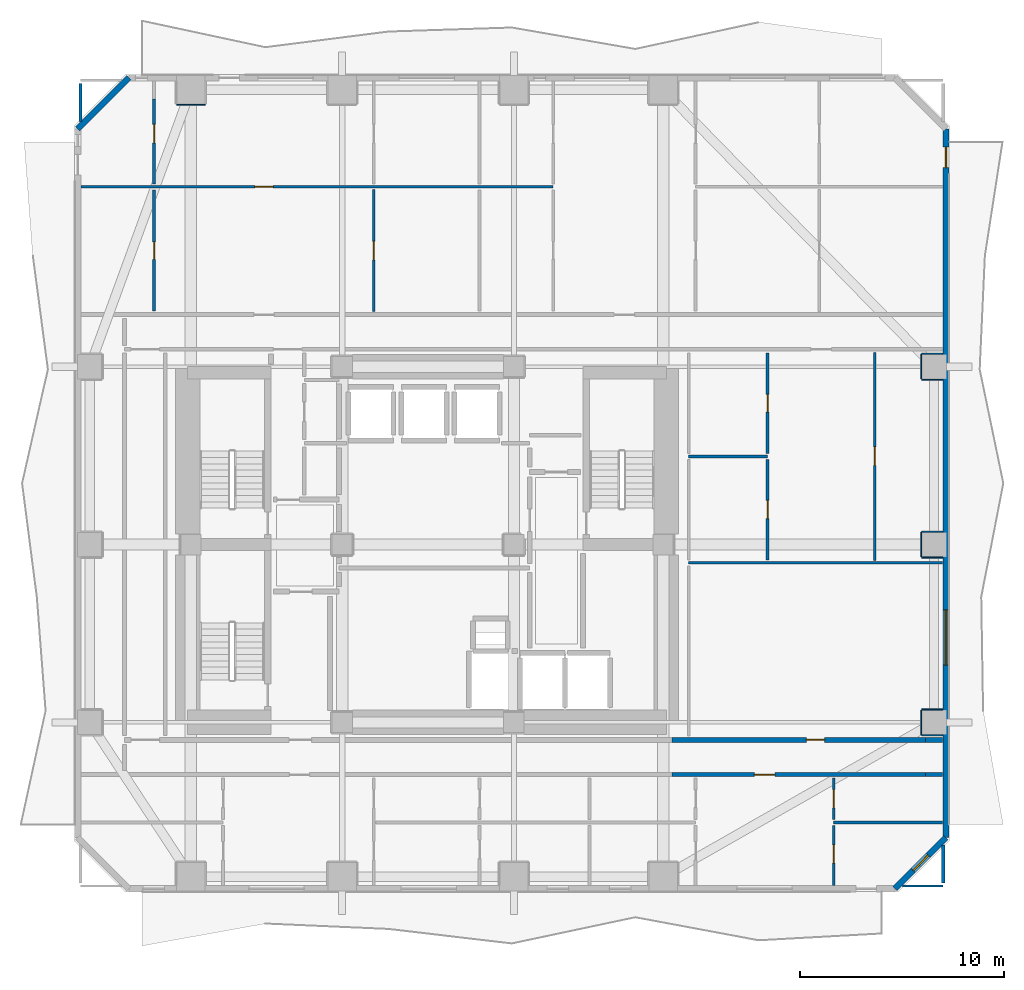
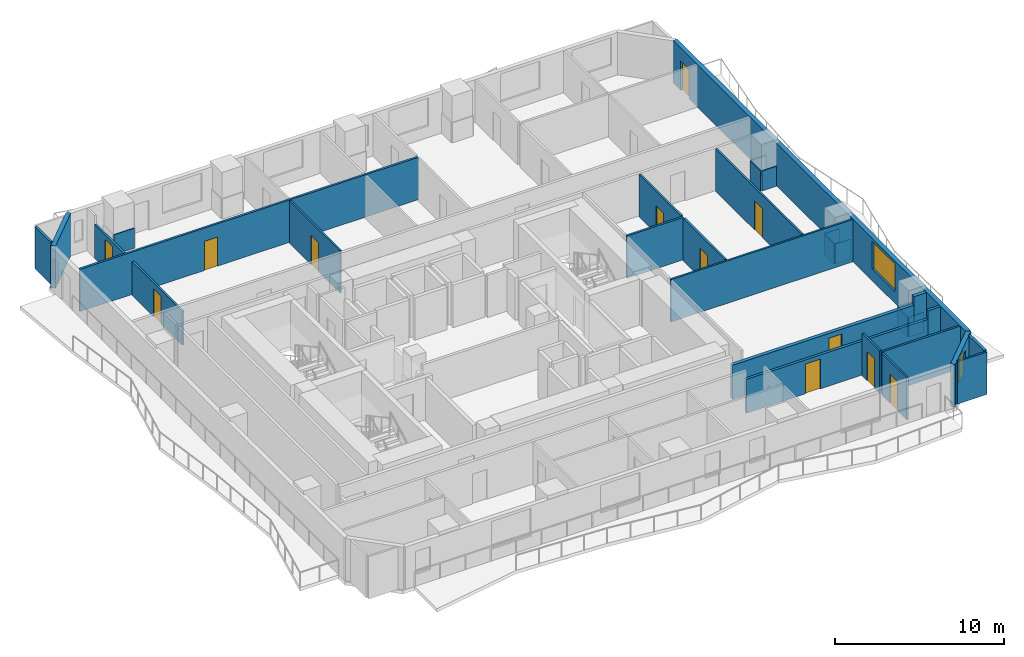
# One storey, part 5 of 11: 32 walls, 12 doors, 2 windows, 14 openings.
"""IFC4 building model written with IfcOpenShell, lengths in metres."""

import ifcopenshell
import ifcopenshell.guid

model = None  # the IFC model being written
_history = None  # IfcOwnerHistory: only IFC2X3 demands one
_inside = {}  # id of a spatial element -> (the spatial element, [elements in it])
_under = {}  # id of a project, library or spatial element -> (it, [spatial elements below it])
_declared = {}  # id of a project -> (the project, [libraries it declares])
_typed = {}  # id of a type object -> (the type object, [elements of that type])
_made_of = {}  # id of a material, layer set ... -> (it, [elements and type objects made of it])


def new_model(schema):
    """Start an empty IFC model of exactly this schema.

    Asked for "IFC4X3", IfcOpenShell would pick the latest addendum, in which some entities
    have other attributes; the version numbers below select the first issue.
    IFC2X3 requires an IfcOwnerHistory on every rooted entity: one is made here for all.
    """
    global model, _history
    if schema == "IFC4X3":
        model = ifcopenshell.file(schema_version=(4, 3, 0, 0))
    else:
        model = ifcopenshell.file(schema=schema)
    _inside.clear()
    _under.clear()
    _declared.clear()
    _typed.clear()
    _made_of.clear()
    _history = None
    if model.schema == "IFC2X3":
        org = make("IfcOrganization", Name="unknown")
        user = make(
            "IfcPersonAndOrganization",
            ThePerson=make("IfcPerson", FamilyName="unknown"),
            TheOrganization=org,
        )
        app = make(
            "IfcApplication",
            ApplicationDeveloper=org,
            Version="unknown",
            ApplicationFullName="unknown",
            ApplicationIdentifier="unknown",
        )
        _history = make(
            "IfcOwnerHistory",
            OwningUser=user,
            OwningApplication=app,
            ChangeAction="ADDED",
            CreationDate=0,
        )
    return model


def make(cls, **values):
    """One entity of the class cls with the attributes given. An attribute that is None is left unset."""
    return model.create_entity(
        cls, **{name: value for name, value in values.items() if value is not None}
    )


def rooted(cls, **values):
    """An entity with a GlobalId (a new one), such as an element, a storey or a relation."""
    return make(cls, GlobalId=ifcopenshell.guid.new(), OwnerHistory=_history, **values)


def si_unit(unit_type, name, prefix=None):
    """IfcSIUnit, for example si_unit("LENGTHUNIT", "METRE", prefix="MILLI")."""
    return make("IfcSIUnit", UnitType=unit_type, Prefix=prefix, Name=name)


def assignment(units):
    """IfcUnitAssignment: the units of a project."""
    return None if units is None else make("IfcUnitAssignment", Units=units)


def point(xyz):
    """IfcCartesianPoint."""
    return None if xyz is None else make("IfcCartesianPoint", Coordinates=xyz)


def direction(xyz):
    """IfcDirection."""
    return None if xyz is None else make("IfcDirection", DirectionRatios=xyz)


def frame(location, z_axis=None, x_axis=None):
    """IfcAxis2Placement3D, a coordinate frame: its origin and axes. An axis left out is left unset."""
    return make(
        "IfcAxis2Placement3D",
        Location=point(location),
        Axis=direction(z_axis),
        RefDirection=direction(x_axis),
    )


def frame_2d(location, x_axis=None):
    """IfcAxis2Placement2D, a coordinate frame in the plane: its origin and x axis."""
    return make(
        "IfcAxis2Placement2D", Location=point(location), RefDirection=direction(x_axis)
    )


def origin():
    """The frame at (0, 0, 0) with its axes left unset."""
    return frame((0.0, 0.0, 0.0))


def place(relative_to, where):
    """IfcLocalPlacement: puts the frame where relative to a parent placement (None: the world)."""
    return make(
        "IfcLocalPlacement", PlacementRelTo=relative_to, RelativePlacement=where
    )


def context(
    kind, dimensions, precision=None, world=None, true_north=None, identifier=None
):
    """IfcGeometricRepresentationContext, for example the 3D "Model" context."""
    return make(
        "IfcGeometricRepresentationContext",
        ContextIdentifier=identifier,
        ContextType=kind,
        CoordinateSpaceDimension=dimensions,
        Precision=precision,
        WorldCoordinateSystem=world,
        TrueNorth=true_north,
    )


def subcontext(parent, identifier, kind, view, scale=None):
    """IfcGeometricRepresentationSubContext, for example "Body" below "Model"."""
    return make(
        "IfcGeometricRepresentationSubContext",
        ContextIdentifier=identifier,
        ContextType=kind,
        ParentContext=parent,
        TargetScale=scale,
        TargetView=view,
    )


def project(units=None, contexts=None):
    """IfcProject with its units and contexts."""
    return rooted(
        "IfcProject",
        Name="project",
        RepresentationContexts=contexts,
        UnitsInContext=assignment(units),
    )


def spatial(cls, under=None, at=None, **own):
    """A site, building, storey or space (cls), placed at a placement, below another one or the project."""
    s = rooted(cls, ObjectPlacement=at, **own)
    if under is not None:
        _under.setdefault(under.id(), (under, []))[1].append(s)
    return s


def profile(cls, at=None, kind="AREA", **sizes):
    """A parametric profile (cls). Its sizes go by their IFC names, for example OverallWidth=200.0."""
    return make(cls, ProfileType=kind, Position=at, **sizes)


def rectangle(**sizes):
    """IfcRectangleProfileDef."""
    return profile("IfcRectangleProfileDef", **sizes)


def extrude(swept, where, along, depth):
    """IfcExtrudedAreaSolid: the profile swept, set in the frame where, extruded along a direction by depth."""
    return make(
        "IfcExtrudedAreaSolid",
        SweptArea=swept,
        Position=where,
        ExtrudedDirection=direction(along),
        Depth=depth,
    )


def shape(context_of_items, identifier, shape_type, items):
    """IfcShapeRepresentation: the items that make up one representation, for example the "Body"."""
    return make(
        "IfcShapeRepresentation",
        ContextOfItems=context_of_items,
        RepresentationIdentifier=identifier,
        RepresentationType=shape_type,
        Items=items,
    )


def material(Name=None, Category=None):
    """IfcMaterial."""
    return make("IfcMaterial", Name=Name, Category=Category)


def layer(
    of_material, thickness, ventilated=None, Name=None, Category=None, Priority=None
):
    """IfcMaterialLayer: one layer of a wall or slab, of a material (None: an air gap)."""
    return make(
        "IfcMaterialLayer",
        Material=of_material,
        LayerThickness=thickness,
        IsVentilated=ventilated,
        Name=Name,
        Category=Category,
        Priority=Priority,
    )


def layer_set(layers, Name=None):
    """IfcMaterialLayerSet."""
    return make("IfcMaterialLayerSet", MaterialLayers=layers, LayerSetName=Name)


def made_of(thing, what):
    """Note that an element or type object is made of a material, layer set ...; save() writes the relation."""
    if what is not None:
        _made_of.setdefault(what.id(), (what, []))[1].append(thing)
    return thing


def type_object(cls, material=None, **own):
    """A type object (cls), such as IfcWallType, which elements share."""
    return made_of(rooted(cls, **own), material)


def element(
    cls,
    number,
    at=None,
    inside=None,
    cuts=None,
    type_object=None,
    material=None,
    context=None,
    identifier="Body",
    shape_type=None,
    held_by="IfcProductDefinitionShape",
    body=None,
    shapes=None,
    **own,
):
    """One element of the class cls, such as IfcWall. Its Tag is "e" and its number.

    at: its placement. inside: the storey or other place that contains it. cuts: it is an
    opening in that element (IfcRelVoidsElement). A single representation is given by context,
    identifier, shape_type and body (its items); several are given by shapes. held_by: the class
    of the entity that holds the representations. save() writes the other relations.
    """
    e = rooted(cls, Tag="e%d" % number, ObjectPlacement=at, **own)
    if body is not None:
        shapes = [shape(context, identifier, shape_type, body)]
    if shapes is not None:
        e.Representation = make(held_by, Representations=shapes)
    if inside is not None:
        _inside.setdefault(inside.id(), (inside, []))[1].append(e)
    if cuts is not None:
        rooted(
            "IfcRelVoidsElement", RelatingBuildingElement=cuts, RelatedOpeningElement=e
        )
    if type_object is not None:
        _typed.setdefault(type_object.id(), (type_object, []))[1].append(e)
    return made_of(e, material)


def fill(opening, filler):
    """IfcRelFillsElement: the door or window that sits in an opening."""
    return rooted(
        "IfcRelFillsElement",
        RelatingOpeningElement=opening,
        RelatedBuildingElement=filler,
    )


def aggregate(whole, parts):
    """IfcRelAggregates: a whole, such as a stair, and the parts it consists of."""
    return rooted("IfcRelAggregates", RelatingObject=whole, RelatedObjects=parts)


def save(model, path):
    """Write the relations noted so far, then the file.

    IfcRelAggregates (storeys below a building ...), IfcRelContainedInSpatialStructure (elements
    in a storey), IfcRelDefinesByType, IfcRelAssociatesMaterial and IfcRelDeclares: one each for
    every whole, place, type object, material and project.
    """
    for whole, parts in _under.values():
        aggregate(whole, parts)
    for where, things in _inside.values():
        rooted(
            "IfcRelContainedInSpatialStructure",
            RelatedElements=things,
            RelatingStructure=where,
        )
    for kind, things in _typed.values():
        rooted("IfcRelDefinesByType", RelatedObjects=things, RelatingType=kind)
    for what, things in _made_of.values():
        rooted("IfcRelAssociatesMaterial", RelatedObjects=things, RelatingMaterial=what)
    for by, libraries in _declared.values():
        rooted("IfcRelDeclares", RelatingContext=by, RelatedDefinitions=libraries)
    model.write(path)


model = new_model("IFC4")

# Units and contexts
model_context = context("Model", 3, precision=1e-05, world=origin(), true_north=direction((0.0, 1.0)))
body_context = subcontext(model_context, "Body", "Model", "MODEL_VIEW")
ifc_project = project(units=[si_unit("LENGTHUNIT", "METRE"), si_unit("AREAUNIT", "SQUARE_METRE"), si_unit("VOLUMEUNIT", "CUBIC_METRE"), si_unit("PLANEANGLEUNIT", "RADIAN"), si_unit("MASSUNIT", "GRAM", prefix="KILO")], contexts=[model_context])

# Site, building, storey
site_placement = place(None, origin())
site = spatial("IfcSite", under=ifc_project, at=site_placement, CompositionType="ELEMENT")
building_placement = place(site_placement, origin())
building = spatial("IfcBuilding", under=site, at=building_placement, Name="Solanera Arch Residences", CompositionType="ELEMENT")
storey_placement = place(building_placement, frame((0.0, 0.0, 68.47998046875)))
storey = spatial("IfcBuildingStorey", under=building, at=storey_placement, Name="L19", CompositionType="ELEMENT", Elevation=68.47998046875)

# Walls
ifc_material_1 = material(Name="Fire-Rated Gypsum Stud Partition", Category="gypsum")
ifc_layer_1 = layer(ifc_material_1, 0.06005859375)
ifc_layer_set_1 = layer_set([ifc_layer_1], Name="Fire-Rated Gypsum Stud Partition")
wall_type_1 = type_object("IfcWallType", Name="Column Acoustic Furring Wall 60", PredefinedType="PARTITIONING", material=ifc_layer_set_1)
wall_1_placement = place(storey_placement, frame((12.699951171875, 52.218017578125, 0.0), z_axis=(0.0, 0.0, 1.0), x_axis=(1.0, 0.0, 0.0)))
element("IfcWall", 1, at=wall_1_placement, inside=storey, type_object=wall_type_1, Name="L19 Column Furring 10S", PredefinedType="PARTITIONING", context=body_context, shape_type="SweptSolid", body=[
    extrude(rectangle(XDim=1.400146484375, YDim=0.06005859375, at=frame_2d((0.7001953125, 0.0))), origin(), (0.0, 0.0, 1.0), 1.449951171875),
])
for number, where, z_axis, x_axis, name in (
    (2, (49.14990234375, 21.367919921875, 0.0), (0.0, 0.0, 1.0), (1.0, 0.0, 0.0), "L19 Column Furring 18S"),
    (3, (49.14990234375, 22.632080078125, 0.0), (0.0, 0.0, 1.0), (1.0, 0.0, 0.0), "L19 Column Furring 18N"),
):
    element("IfcWall", number, at=place(storey_placement, frame(where, z_axis=z_axis, x_axis=x_axis)), inside=storey, type_object=wall_type_1, Name=name, PredefinedType="PARTITIONING", context=body_context, shape_type="SweptSolid", body=[
        extrude(rectangle(XDim=1.02001953125, YDim=0.06005859375, at=frame_2d((0.510009765625, 0.0))), origin(), (0.0, 0.0, 1.0), 1.449951171875),
    ])
wall_2_placement = place(storey_placement, frame((49.117919921875, 21.39990234375, 0.0), z_axis=(0.0, 0.0, 1.0), x_axis=(0.0, 1.0, 0.0)))
element("IfcWall", 4, at=wall_2_placement, inside=storey, type_object=wall_type_1, Name="L19 Column Furring 18W", PredefinedType="PARTITIONING", context=body_context, shape_type="SweptSolid", body=[
    extrude(rectangle(XDim=1.2001953125, YDim=0.06005859375, at=frame_2d((0.60009765625, 0.0))), origin(), (0.0, 0.0, 1.0), 1.449951171875),
])
for number, where, z_axis, x_axis, name in (
    (5, (49.14990234375, 30.068115234375, 0.0), (0.0, 0.0, 1.0), (1.0, 0.0, 0.0), "L19 Column Furring 20S"),
    (6, (49.14990234375, 31.33203125, 0.0), (0.0, 0.0, 1.0), (1.0, 0.0, 0.0), "L19 Column Furring 20N"),
):
    element("IfcWall", number, at=place(storey_placement, frame(where, z_axis=z_axis, x_axis=x_axis)), inside=storey, type_object=wall_type_1, Name=name, PredefinedType="PARTITIONING", context=body_context, shape_type="SweptSolid", body=[
        extrude(rectangle(XDim=1.02001953125, YDim=0.06005859375, at=frame_2d((0.510009765625, 0.0))), origin(), (0.0, 0.0, 1.0), 1.449951171875),
    ])
wall_3_placement = place(storey_placement, frame((49.117919921875, 30.10009765625, 0.0), z_axis=(0.0, 0.0, 1.0), x_axis=(0.0, 1.0, 0.0)))
element("IfcWall", 7, at=wall_3_placement, inside=storey, type_object=wall_type_1, Name="L19 Column Furring 20W", PredefinedType="PARTITIONING", context=body_context, shape_type="SweptSolid", body=[
    extrude(rectangle(XDim=1.199951171875, YDim=0.06005859375, at=frame_2d((0.60009765625, 0.0))), origin(), (0.0, 0.0, 1.0), 1.449951171875),
])
for number, where, z_axis, x_axis, name in (
    (8, (49.14990234375, 38.76806640625, 0.0), (0.0, 0.0, 1.0), (1.0, 0.0, 0.0), "L19 Column Furring 22S"),
    (9, (49.14990234375, 40.031982421875, 0.0), (0.0, 0.0, 1.0), (1.0, 0.0, 0.0), "L19 Column Furring 22N"),
):
    element("IfcWall", number, at=place(storey_placement, frame(where, z_axis=z_axis, x_axis=x_axis)), inside=storey, type_object=wall_type_1, Name=name, PredefinedType="PARTITIONING", context=body_context, shape_type="SweptSolid", body=[
        extrude(rectangle(XDim=1.02001953125, YDim=0.06005859375, at=frame_2d((0.510009765625, 0.0))), origin(), (0.0, 0.0, 1.0), 1.449951171875),
    ])
wall_4_placement = place(storey_placement, frame((49.117919921875, 38.800048828125, 0.0), z_axis=(0.0, 0.0, 1.0), x_axis=(0.0, 1.0, 0.0)))
element("IfcWall", 10, at=wall_4_placement, inside=storey, type_object=wall_type_1, Name="L19 Column Furring 22W", PredefinedType="PARTITIONING", context=body_context, shape_type="SweptSolid", body=[
    extrude(rectangle(XDim=1.199951171875, YDim=0.06005859375, at=frame_2d((0.60009765625, 0.0))), origin(), (0.0, 0.0, 1.0), 1.449951171875),
])

# Wall, opening, door
ifc_material_2 = material(Name="Autoclaved Aerated Concrete Blockwork", Category="masonry")
ifc_layer_2 = layer(ifc_material_2, 0.179931640625)
ifc_layer_set_2 = layer_set([ifc_layer_2], Name="Autoclaved Aerated Concrete Blockwork")
wall_type_2 = type_object("IfcWallType", Name="Corridor Fire Partition 180", PredefinedType="PARTITIONING", material=ifc_layer_set_2)
wall_5_placement = place(storey_placement, frame((36.928955078125, 19.449951171875, 0.0), z_axis=(0.0, 0.0, 1.0), x_axis=(1.0, 0.0, 0.0)))
wall_5 = element("IfcWall", 11, at=wall_5_placement, inside=storey, type_object=wall_type_2, Name="L19 Interior Partition H6 2", PredefinedType="PARTITIONING", context=body_context, shape_type="SweptSolid", body=[
    extrude(rectangle(XDim=12.39208984375, YDim=0.179931640625, at=frame_2d((6.196044921875, 0.0))), origin(), (0.0, 0.0, 1.0), 2.445068359375),
])
opening_1_placement = place(wall_5_placement, frame((4.031005859375, 0.0, 0.0)))
opening_1 = element("IfcOpeningElement", 12, at=opening_1_placement, cuts=wall_5, Name="Opening DI-01", PredefinedType="OPENING", context=body_context, shape_type="SweptSolid", body=[
    extrude(rectangle(XDim=1.0, YDim=2.14990234375, at=frame_2d((0.5, 1.074951171875))), frame((0.0, 0.10009765625, 0.0), z_axis=(0.0, -1.0, 0.0), x_axis=(1.0, 0.0, 0.0)), (0.0, 0.0, 1.0), 0.1999),
])
ifc_material_3 = material(Name="Fire-Rated Architectural Hardwood", Category="wood")
door_type_1 = type_object("IfcDoorType", Name="Unit Entrance Fire Door DI-01", OperationType="NOTDEFINED", PredefinedType="DOOR", material=ifc_material_3)
door_1_placement = place(opening_1_placement, origin())
door_1 = element("IfcDoor", 13, at=door_1_placement, inside=storey, type_object=door_type_1, Name="DR-L19-IN-020", OperationType="SINGLE_SWING_RIGHT", OverallHeight=2.14990234375, OverallWidth=1.0, PredefinedType="DOOR", context=body_context, shape_type="SweptSolid", body=[
    extrude(rectangle(XDim=1.0, YDim=2.14990234375, at=frame_2d((0.5, 1.074951171875))), frame((0.0, 0.02490234375, 0.0), z_axis=(0.0, -1.0, 0.0), x_axis=(1.0, 0.0, 0.0)), (0.0, 0.0, 1.0), 0.050048828125),
])
fill(opening_1, door_1)

# Walls
wall_6_placement = place(storey_placement, frame((49.321044921875, 19.449951171875, 0.0), z_axis=(0.0, 0.0, 1.0), x_axis=(1.0, 0.0, 0.0)))
element("IfcWall", 14, at=wall_6_placement, inside=storey, type_object=wall_type_2, Name="L19 Interior Partition H6 3", PredefinedType="PARTITIONING", context=body_context, shape_type="SweptSolid", body=[
    extrude(rectangle(XDim=0.85205078125, YDim=0.179931640625, at=frame_2d((0.426025390625, 0.0))), origin(), (0.0, 0.0, 1.0), 3.06005859375),
])
wall_7_placement = place(storey_placement, frame((50.199951171875, 14.157958984375, 0.0), z_axis=(0.0, 0.0, 1.0), x_axis=(0.0, 1.0, 0.0)))
element("IfcWall", 15, at=wall_7_placement, inside=storey, type_object=wall_type_2, Name="L19 Interior Partition V9 1", PredefinedType="PARTITIONING", context=body_context, shape_type="SweptSolid", body=[
    extrude(rectangle(XDim=1.843017578125, YDim=0.179931640625, at=frame_2d((0.92138671875, 0.0))), origin(), (0.0, 0.0, 1.0), 3.06005859375),
])
ifc_material_4 = material(Name="Precast Concrete C35/45", Category="concrete")
ifc_layer_3 = layer(ifc_material_4, 0.300048828125)
ifc_layer_set_3 = layer_set([ifc_layer_3], Name="Precast Concrete C35/45")
wall_type_3 = type_object("IfcWallType", Name="Exterior Wall Precast Masonry-Frame 300", PredefinedType="STANDARD", material=ifc_layer_set_3)
wall_8_placement = place(storey_placement, frame((7.864990234375, 51.034912109375, 0.0), z_axis=(0.0, 0.0, 1.0), x_axis=(0.707106781187, 0.707106781187, 0.0)))
element("IfcWall", 16, at=wall_8_placement, inside=storey, type_object=wall_type_3, Name="L19 Tower Exterior Precast Masonry-Frame Wall CH1", PredefinedType="STANDARD", context=body_context, shape_type="SweptSolid", body=[
    extrude(rectangle(XDim=3.53564453125, YDim=0.300048828125, at=frame_2d((1.767822265625, 0.0))), origin(), (0.0, 0.0, 1.0), 3.06005859375),
])

# Wall, openings, door, window
wall_9_placement = place(storey_placement, frame((50.3349609375, 51.034912109375, 0.0), z_axis=(0.0, 0.0, 1.0), x_axis=(0.0, -1.0, 0.0)))
wall_9 = element("IfcWall", 17, at=wall_9_placement, inside=storey, type_object=wall_type_3, Name="L19 Tower Exterior Precast Masonry-Frame Wall E", PredefinedType="STANDARD", context=body_context, shape_type="SweptSolid", body=[
    extrude(rectangle(XDim=34.669921875, YDim=0.300048828125, at=frame_2d((17.3349609375, 0.0))), origin(), (0.0, 0.0, 1.0), 3.06005859375),
])
opening_2_placement = place(wall_9_placement, frame((0.90087890625, 0.0, 0.0)))
opening_2 = element("IfcOpeningElement", 18, at=opening_2_placement, cuts=wall_9, Name="Opening DB-01", PredefinedType="OPENING", context=body_context, shape_type="SweptSolid", body=[
    extrude(rectangle(XDim=1.0, YDim=2.14990234375, at=frame_2d((0.5, 1.074951171875))), frame((0.0, 0.159912109375, 0.0), z_axis=(0.0, -1.0, 0.0), x_axis=(1.0, 0.0, 0.0)), (0.0, 0.0, 1.0), 0.32),
])
opening_3_placement = place(wall_9_placement, frame((23.534912109375, 0.0, 0.85009765625)))
opening_3 = element("IfcOpeningElement", 19, at=opening_3_placement, cuts=wall_9, Name="Opening W-09", PredefinedType="OPENING", context=body_context, shape_type="SweptSolid", body=[
    extrude(rectangle(XDim=2.699951171875, YDim=2.0, at=frame_2d((1.35009765625, 1.0))), frame((0.0, 0.159912109375, 0.0), z_axis=(0.0, -1.0, 0.0), x_axis=(1.0, 0.0, 0.0)), (0.0, 0.0, 1.0), 0.32),
])
ifc_material_5 = material(Name="Anodised Aluminium Alloy 6063-T6", Category="aluminium")
door_type_2 = type_object("IfcDoorType", Name="Glazed Balcony Swing Door DB-01", OperationType="NOTDEFINED", PredefinedType="DOOR", material=ifc_material_5)
door_2_placement = place(opening_2_placement, origin())
door_2 = element("IfcDoor", 20, at=door_2_placement, inside=storey, type_object=door_type_2, Name="DR-L19-OUT-03", OperationType="SINGLE_SWING_LEFT", OverallHeight=2.14990234375, OverallWidth=1.0, PredefinedType="DOOR", context=body_context, shape_type="SweptSolid", body=[
    extrude(rectangle(XDim=1.0, YDim=2.14990234375, at=frame_2d((0.5, 1.074951171875))), frame((0.0, 0.02490234375, 0.0), z_axis=(0.0, -1.0, 0.0), x_axis=(1.0, 0.0, 0.0)), (0.0, 0.0, 1.0), 0.050048828125),
])
fill(opening_2, door_2)
ifc_material_6 = material(Name="Double Glazed Low-E Laminated Glass", Category="glass")
window_type_1 = type_object("IfcWindowType", Name="Punched Window W-09", PartitioningType="TRIPLE_PANEL_VERTICAL", PredefinedType="WINDOW", material=ifc_material_6)
window_1_placement = place(opening_3_placement, origin())
window_1 = element("IfcWindow", 21, at=window_1_placement, inside=storey, type_object=window_type_1, Name="L19 AMN-STDE Punched Window", OverallHeight=2.0, OverallWidth=2.699951171875, PartitioningType="SINGLE_PANEL", PredefinedType="WINDOW", context=body_context, shape_type="SweptSolid", body=[
    extrude(rectangle(XDim=2.699951171875, YDim=2.0, at=frame_2d((1.35009765625, 1.0))), frame((0.0, 0.030029296875, 0.0), z_axis=(0.0, -1.0, 0.0), x_axis=(1.0, 0.0, 0.0)), (0.0, 0.0, 1.0), 0.06005859375),
])
fill(opening_3, window_1)

# Wall, opening, window
wall_10_placement = place(storey_placement, frame((50.3349609375, 16.364990234375, 0.0), z_axis=(0.0, 0.0, 1.0), x_axis=(-0.707106781187, -0.707106781187, 0.0)))
wall_10 = element("IfcWall", 22, at=wall_10_placement, inside=storey, type_object=wall_type_3, Name="L19 Tower Exterior Precast Masonry-Frame Wall CH5", PredefinedType="STANDARD", context=body_context, shape_type="SweptSolid", body=[
    extrude(rectangle(XDim=3.53564453125, YDim=0.300048828125, at=frame_2d((1.767822265625, 0.0))), origin(), (0.0, 0.0, 1.0), 3.06005859375),
])
opening_4_placement = place(wall_10_placement, frame((1.219970703125, 0.0, 0.85009765625)))
opening_4 = element("IfcOpeningElement", 23, at=opening_4_placement, cuts=wall_10, Name="Opening W-07", PredefinedType="OPENING", context=body_context, shape_type="SweptSolid", body=[
    extrude(rectangle(XDim=1.050048828125, YDim=1.64990234375, at=frame_2d((0.52490234375, 0.824951171875))), frame((0.0, 0.159912109375, 0.0), z_axis=(0.0, -1.0, 0.0), x_axis=(1.0, 0.0, 0.0)), (0.0, 0.0, 1.0), 0.32),
])
ifc_material_7 = material(Name="Double Glazed Low-E Laminated Glass", Category="glass")
window_type_2 = type_object("IfcWindowType", Name="Punched Window W-07", PartitioningType="SINGLE_PANEL", PredefinedType="WINDOW", material=ifc_material_7)
window_2_placement = place(opening_4_placement, origin())
window_2 = element("IfcWindow", 24, at=window_2_placement, inside=storey, type_object=window_type_2, Name="L19 1902-BR2 Corner Punched Window", OverallHeight=1.64990234375, OverallWidth=1.050048828125, PartitioningType="SINGLE_PANEL", PredefinedType="WINDOW", context=body_context, shape_type="SweptSolid", body=[
    extrude(rectangle(XDim=1.050048828125, YDim=1.64990234375, at=frame_2d((0.52490234375, 0.824951171875))), frame((0.0, 0.030029296875, 0.0), z_axis=(0.0, -1.0, 0.0), x_axis=(1.0, 0.0, 0.0)), (0.0, 0.0, 1.0), 0.06005859375),
])
fill(opening_4, window_2)

# Wall, opening, door
ifc_material_8 = material(Name="Autoclaved Aerated Concrete Blockwork", Category="masonry")
ifc_layer_4 = layer(ifc_material_8, 0.239990234375)
ifc_layer_set_4 = layer_set([ifc_layer_4], Name="Autoclaved Aerated Concrete Blockwork")
wall_type_4 = type_object("IfcWallType", Name="Shaft Wall Fire-Rated 240", PredefinedType="PARTITIONING", material=ifc_layer_set_4)
wall_11_placement = place(storey_placement, frame((36.928955078125, 21.14990234375, 0.0), z_axis=(0.0, 0.0, 1.0), x_axis=(1.0, 0.0, 0.0)))
wall_11 = element("IfcWall", 25, at=wall_11_placement, inside=storey, type_object=wall_type_4, Name="L19 Interior Partition H1 2", PredefinedType="PARTITIONING", context=body_context, shape_type="SweptSolid", body=[
    extrude(rectangle(XDim=12.39208984375, YDim=0.239990234375, at=frame_2d((6.196044921875, 0.0))), origin(), (0.0, 0.0, 1.0), 2.445068359375),
])
opening_5_placement = place(wall_11_placement, frame((6.572021484375, 0.0, 0.0)))
opening_5 = element("IfcOpeningElement", 26, at=opening_5_placement, cuts=wall_11, Name="Opening DI-02", PredefinedType="OPENING", context=body_context, shape_type="SweptSolid", body=[
    extrude(rectangle(XDim=0.89990234375, YDim=2.10009765625, at=frame_2d((0.449951171875, 1.050048828125))), frame((0.0, 0.1298828125, 0.0), z_axis=(0.0, -1.0, 0.0), x_axis=(1.0, 0.0, 0.0)), (0.0, 0.0, 1.0), 0.26),
])
ifc_material_9 = material(Name="Fire-Rated Architectural Hardwood", Category="wood")
door_type_3 = type_object("IfcDoorType", Name="Suite Room Swing Door DI-02", OperationType="NOTDEFINED", PredefinedType="DOOR", material=ifc_material_9)
door_3_placement = place(opening_5_placement, origin())
door_3 = element("IfcDoor", 27, at=door_3_placement, inside=storey, type_object=door_type_3, Name="DR-L19-IN-038", OperationType="SINGLE_SWING_RIGHT", OverallHeight=2.10009765625, OverallWidth=0.89990234375, PredefinedType="DOOR", context=body_context, shape_type="SweptSolid", body=[
    extrude(rectangle(XDim=0.89990234375, YDim=2.10009765625, at=frame_2d((0.449951171875, 1.050048828125))), frame((0.0, 0.02490234375, 0.0), z_axis=(0.0, -1.0, 0.0), x_axis=(1.0, 0.0, 0.0)), (0.0, 0.0, 1.0), 0.050048828125),
])
fill(opening_5, door_3)

# Walls
wall_12_placement = place(storey_placement, frame((49.321044921875, 21.14990234375, 0.0), z_axis=(0.0, 0.0, 1.0), x_axis=(1.0, 0.0, 0.0)))
element("IfcWall", 28, at=wall_12_placement, inside=storey, type_object=wall_type_4, Name="L19 Interior Partition H1 3", PredefinedType="PARTITIONING", context=body_context, shape_type="SweptSolid", body=[
    extrude(rectangle(XDim=0.85205078125, YDim=0.239990234375, at=frame_2d((0.426025390625, 0.0))), origin(), (0.0, 0.0, 1.0), 3.06005859375),
])
ifc_material_10 = material(Name="Fire-Rated Gypsum Stud Partition", Category="gypsum")
ifc_layer_5 = layer(ifc_material_10, 0.1201171875)
ifc_layer_set_5 = layer_set([ifc_layer_5], Name="Fire-Rated Gypsum Stud Partition")
wall_type_5 = type_object("IfcWallType", Name="Unit Drywall Partition 120", PredefinedType="PARTITIONING", material=ifc_layer_set_5)
wall_13_placement = place(storey_placement, frame((48.198974609375, 14.0, 0.0), z_axis=(0.0, 0.0, 1.0), x_axis=(1.0, 0.0, 0.0)))
element("IfcWall", 29, at=wall_13_placement, inside=storey, type_object=wall_type_5, Name="L19 Interior Partition H19 2", PredefinedType="PARTITIONING", context=body_context, shape_type="SweptSolid", body=[
    extrude(rectangle(XDim=2.0009765625, YDim=0.1201171875, at=frame_2d((1.00048828125, 0.0))), origin(), (0.0, 0.0, 1.0), 3.06005859375),
])
wall_14_placement = place(storey_placement, frame((37.75, 29.800048828125, 0.0), z_axis=(0.0, 0.0, 1.0), x_axis=(1.0, 0.0, 0.0)))
element("IfcWall", 30, at=wall_14_placement, inside=storey, type_object=wall_type_5, Name="L19 Interior Partition H20", PredefinedType="PARTITIONING", context=body_context, shape_type="SweptSolid", body=[
    extrude(rectangle(XDim=12.423095703125, YDim=0.1201171875, at=frame_2d((6.21142578125, 0.0))), origin(), (0.0, 0.0, 1.0), 3.06005859375),
])

# Wall, opening, door
wall_15_placement = place(storey_placement, frame((22.35205078125, 42.10791015625, 0.0), z_axis=(0.0, 0.0, 1.0), x_axis=(0.0, 1.0, 0.0)))
wall_15 = element("IfcWall", 31, at=wall_15_placement, inside=storey, type_object=wall_type_5, Name="L19 Interior Partition V23 1", PredefinedType="PARTITIONING", context=body_context, shape_type="SweptSolid", body=[
    extrude(rectangle(XDim=5.9541015625, YDim=0.1201171875, at=frame_2d((2.97705078125, 0.0))), origin(), (0.0, 0.0, 1.0), 3.06005859375),
])
opening_6_placement = place(wall_15_placement, frame((2.51708984375, 0.0, 0.0)))
opening_6 = element("IfcOpeningElement", 32, at=opening_6_placement, cuts=wall_15, Name="Opening DI-02", PredefinedType="OPENING", context=body_context, shape_type="SweptSolid", body=[
    extrude(rectangle(XDim=0.89990234375, YDim=2.10009765625, at=frame_2d((0.449951171875, 1.050048828125))), frame((0.0, 0.070068359375, 0.0), z_axis=(0.0, -1.0, 0.0), x_axis=(1.0, 0.0, 0.0)), (0.0, 0.0, 1.0), 0.1401),
])
door_4_placement = place(opening_6_placement, origin())
door_4 = element("IfcDoor", 33, at=door_4_placement, inside=storey, type_object=door_type_3, Name="DR-L19-IN-029", OperationType="SINGLE_SWING_LEFT", OverallHeight=2.10009765625, OverallWidth=0.89990234375, PredefinedType="DOOR", context=body_context, shape_type="SweptSolid", body=[
    extrude(rectangle(XDim=0.89990234375, YDim=2.10009765625, at=frame_2d((0.449951171875, 1.050048828125))), frame((0.0, 0.02490234375, 0.0), z_axis=(0.0, -1.0, 0.0), x_axis=(1.0, 0.0, 0.0)), (0.0, 0.0, 1.0), 0.050048828125),
])
fill(opening_6, door_4)

wall_16_placement = place(storey_placement, frame((44.8349609375, 14.027099609375, 0.0), z_axis=(0.0, 0.0, 1.0), x_axis=(0.0, 1.0, 0.0)))
wall_16 = element("IfcWall", 34, at=wall_16_placement, inside=storey, type_object=wall_type_5, Name="L19 Interior Partition V25 1", PredefinedType="PARTITIONING", context=body_context, shape_type="SweptSolid", body=[
    extrude(rectangle(XDim=2.94189453125, YDim=0.1201171875, at=frame_2d((1.470947265625, 0.0))), origin(), (0.0, 0.0, 1.0), 3.06005859375),
])
opening_7_placement = place(wall_16_placement, frame((1.089111328125, 0.0, 0.0)))
opening_7 = element("IfcOpeningElement", 35, at=opening_7_placement, cuts=wall_16, Name="Opening DI-03", PredefinedType="OPENING", context=body_context, shape_type="SweptSolid", body=[
    extrude(rectangle(XDim=0.89990234375, YDim=2.10009765625, at=frame_2d((0.449951171875, 1.050048828125))), frame((0.0, 0.070068359375, 0.0), z_axis=(0.0, -1.0, 0.0), x_axis=(1.0, 0.0, 0.0)), (0.0, 0.0, 1.0), 0.1401),
])
ifc_material_11 = material(Name="Fire-Rated Architectural Hardwood", Category="wood")
door_type_4 = type_object("IfcDoorType", Name="Bedroom Swing Door DI-03", OperationType="NOTDEFINED", PredefinedType="DOOR", material=ifc_material_11)
door_5_placement = place(opening_7_placement, origin())
door_5 = element("IfcDoor", 36, at=door_5_placement, inside=storey, type_object=door_type_4, Name="DR-L19-IN-024", OperationType="SINGLE_SWING_RIGHT", OverallHeight=2.10009765625, OverallWidth=0.89990234375, PredefinedType="DOOR", context=body_context, shape_type="SweptSolid", body=[
    extrude(rectangle(XDim=0.89990234375, YDim=2.10009765625, at=frame_2d((0.449951171875, 1.050048828125))), frame((0.0, 0.02490234375, 0.0), z_axis=(0.0, -1.0, 0.0), x_axis=(1.0, 0.0, 0.0)), (0.0, 0.0, 1.0), 0.050048828125),
])
fill(opening_7, door_5)

wall_17_placement = place(storey_placement, frame((44.8349609375, 17.2451171875, 0.0), z_axis=(0.0, 0.0, 1.0), x_axis=(0.0, 1.0, 0.0)))
wall_17 = element("IfcWall", 37, at=wall_17_placement, inside=storey, type_object=wall_type_5, Name="L19 Interior Partition V25 2", PredefinedType="PARTITIONING", context=body_context, shape_type="SweptSolid", body=[
    extrude(rectangle(XDim=2.046875, YDim=0.1201171875, at=frame_2d((1.0234375, 0.0))), origin(), (0.0, 0.0, 1.0), 3.06005859375),
])
opening_8_placement = place(wall_17_placement, frame((0.571044921875, 0.0, 0.0)))
opening_8 = element("IfcOpeningElement", 38, at=opening_8_placement, cuts=wall_17, Name="Opening DI-02", PredefinedType="OPENING", context=body_context, shape_type="SweptSolid", body=[
    extrude(rectangle(XDim=0.89990234375, YDim=2.10009765625, at=frame_2d((0.449951171875, 1.050048828125))), frame((0.0, 0.070068359375, 0.0), z_axis=(0.0, -1.0, 0.0), x_axis=(1.0, 0.0, 0.0)), (0.0, 0.0, 1.0), 0.1401),
])
door_6_placement = place(opening_8_placement, origin())
door_6 = element("IfcDoor", 39, at=door_6_placement, inside=storey, type_object=door_type_3, Name="DR-L19-IN-023", OperationType="SINGLE_SWING_LEFT", OverallHeight=2.10009765625, OverallWidth=0.89990234375, PredefinedType="DOOR", context=body_context, shape_type="SweptSolid", body=[
    extrude(rectangle(XDim=0.89990234375, YDim=2.10009765625, at=frame_2d((0.449951171875, 1.050048828125))), frame((0.0, 0.02490234375, 0.0), z_axis=(0.0, -1.0, 0.0), x_axis=(1.0, 0.0, 0.0)), (0.0, 0.0, 1.0), 0.050048828125),
])
fill(opening_8, door_6)

wall_18_placement = place(storey_placement, frame((46.839111328125, 29.927978515625, 0.0), z_axis=(0.0, 0.0, 1.0), x_axis=(0.0, 1.0, 0.0)))
wall_18 = element("IfcWall", 40, at=wall_18_placement, inside=storey, type_object=wall_type_5, Name="L19 Interior Partition V26", PredefinedType="PARTITIONING", context=body_context, shape_type="SweptSolid", body=[
    extrude(rectangle(XDim=10.1640625, YDim=0.1201171875, at=frame_2d((5.08203125, 0.0))), origin(), (0.0, 0.0, 1.0), 3.06005859375),
])
opening_9_placement = place(wall_18_placement, frame((4.64697265625, 0.0, 0.0)))
opening_9 = element("IfcOpeningElement", 41, at=opening_9_placement, cuts=wall_18, Name="Opening DI-02", PredefinedType="OPENING", context=body_context, shape_type="SweptSolid", body=[
    extrude(rectangle(XDim=0.89990234375, YDim=2.10009765625, at=frame_2d((0.449951171875, 1.050048828125))), frame((0.0, 0.070068359375, 0.0), z_axis=(0.0, -1.0, 0.0), x_axis=(1.0, 0.0, 0.0)), (0.0, 0.0, 1.0), 0.1401),
])
door_7_placement = place(opening_9_placement, origin())
door_7 = element("IfcDoor", 42, at=door_7_placement, inside=storey, type_object=door_type_3, Name="DR-L19-IN-042", OperationType="SINGLE_SWING_RIGHT", OverallHeight=2.10009765625, OverallWidth=0.89990234375, PredefinedType="DOOR", context=body_context, shape_type="SweptSolid", body=[
    extrude(rectangle(XDim=0.89990234375, YDim=2.10009765625, at=frame_2d((0.449951171875, 1.050048828125))), frame((0.0, 0.02490234375, 0.0), z_axis=(0.0, -1.0, 0.0), x_axis=(1.0, 0.0, 0.0)), (0.0, 0.0, 1.0), 0.050048828125),
])
fill(opening_9, door_7)

# Walls
ifc_material_12 = material(Name="Autoclaved Aerated Concrete Blockwork", Category="masonry")
ifc_layer_6 = layer(ifc_material_12, 0.139892578125)
ifc_layer_set_6 = layer_set([ifc_layer_6], Name="Autoclaved Aerated Concrete Blockwork")
wall_type_6 = type_object("IfcWallType", Name="Wet-Room Partition 140", PredefinedType="PARTITIONING", material=ifc_layer_set_6)
wall_19_placement = place(storey_placement, frame((44.8349609375, 17.10693359375, 0.0), z_axis=(0.0, 0.0, 1.0), x_axis=(1.0, 0.0, 0.0)))
element("IfcWall", 43, at=wall_19_placement, inside=storey, type_object=wall_type_6, Name="L19 Interior Partition H14", PredefinedType="PARTITIONING", context=body_context, shape_type="SweptSolid", body=[
    extrude(rectangle(XDim=5.338134765625, YDim=0.139892578125, at=frame_2d((2.6689453125, 0.0))), origin(), (0.0, 0.0, 1.0), 3.06005859375),
])
wall_20_placement = place(storey_placement, frame((37.75, 35.0, 0.0), z_axis=(0.0, 0.0, 1.0), x_axis=(1.0, 0.0, 0.0)))
element("IfcWall", 44, at=wall_20_placement, inside=storey, type_object=wall_type_6, Name="L19 Interior Partition H15", PredefinedType="PARTITIONING", context=body_context, shape_type="SweptSolid", body=[
    extrude(rectangle(XDim=3.860107421875, YDim=0.139892578125, at=frame_2d((1.93017578125, 0.0))), origin(), (0.0, 0.0, 1.0), 3.06005859375),
])

# Wall, opening, door
wall_21_placement = place(storey_placement, frame((8.027099609375, 48.199951171875, 0.0), z_axis=(0.0, 0.0, 1.0), x_axis=(1.0, 0.0, 0.0)))
wall_21 = element("IfcWall", 45, at=wall_21_placement, inside=storey, type_object=wall_type_6, Name="L19 Interior Partition H17", PredefinedType="PARTITIONING", context=body_context, shape_type="SweptSolid", body=[
    extrude(rectangle(XDim=23.096923828125, YDim=0.139892578125, at=frame_2d((11.54833984375, 0.0))), origin(), (0.0, 0.0, 1.0), 3.06005859375),
])
opening_10_placement = place(wall_21_placement, frame((8.5009765625, 0.0, 0.0)))
opening_10 = element("IfcOpeningElement", 46, at=opening_10_placement, cuts=wall_21, Name="Opening DI-02", PredefinedType="OPENING", context=body_context, shape_type="SweptSolid", body=[
    extrude(rectangle(XDim=0.89990234375, YDim=2.10009765625, at=frame_2d((0.449951171875, 1.050048828125))), frame((0.0, 0.079833984375, 0.0), z_axis=(0.0, -1.0, 0.0), x_axis=(1.0, 0.0, 0.0)), (0.0, 0.0, 1.0), 0.1599),
])
door_8_placement = place(opening_10_placement, origin())
door_8 = element("IfcDoor", 47, at=door_8_placement, inside=storey, type_object=door_type_3, Name="DR-L19-IN-026", OperationType="SINGLE_SWING_RIGHT", OverallHeight=2.10009765625, OverallWidth=0.89990234375, PredefinedType="DOOR", context=body_context, shape_type="SweptSolid", body=[
    extrude(rectangle(XDim=0.89990234375, YDim=2.10009765625, at=frame_2d((0.449951171875, 1.050048828125))), frame((0.0, 0.02490234375, 0.0), z_axis=(0.0, -1.0, 0.0), x_axis=(1.0, 0.0, 0.0)), (0.0, 0.0, 1.0), 0.050048828125),
])
fill(opening_10, door_8)

# Wall
wall_22_placement = place(storey_placement, frame((8.0, 51.39892578125, 0.0), z_axis=(0.0, 0.0, 1.0), x_axis=(0.0, 1.0, 0.0)))
element("IfcWall", 48, at=wall_22_placement, inside=storey, type_object=wall_type_6, Name="L19 Interior Partition V11", PredefinedType="PARTITIONING", context=body_context, shape_type="SweptSolid", body=[
    extrude(rectangle(XDim=1.863037109375, YDim=0.139892578125, at=frame_2d((0.931640625, 0.0))), origin(), (0.0, 0.0, 1.0), 3.06005859375),
])

# Wall, opening, door
wall_23_placement = place(storey_placement, frame((11.60400390625, 42.117919921875, 0.0), z_axis=(0.0, 0.0, 1.0), x_axis=(0.0, 1.0, 0.0)))
wall_23 = element("IfcWall", 49, at=wall_23_placement, inside=storey, type_object=wall_type_6, Name="L19 Interior Partition V12 1", PredefinedType="PARTITIONING", context=body_context, shape_type="SweptSolid", body=[
    extrude(rectangle(XDim=5.93408203125, YDim=0.139892578125, at=frame_2d((2.967041015625, 0.0))), origin(), (0.0, 0.0, 1.0), 2.445068359375),
])
opening_11_placement = place(wall_23_placement, frame((2.527099609375, 0.0, 0.0)))
opening_11 = element("IfcOpeningElement", 50, at=opening_11_placement, cuts=wall_23, Name="Opening DI-05", PredefinedType="OPENING", context=body_context, shape_type="SweptSolid", body=[
    extrude(rectangle(XDim=0.860107421875, YDim=2.02001953125, at=frame_2d((0.43017578125, 1.010009765625))), frame((0.0, 0.079833984375, 0.0), z_axis=(0.0, -1.0, 0.0), x_axis=(1.0, 0.0, 0.0)), (0.0, 0.0, 1.0), 0.1599),
])
ifc_material_13 = material(Name="Fire-Rated Architectural Hardwood", Category="wood")
door_type_5 = type_object("IfcDoorType", Name="Bathroom Swing Door DI-05", OperationType="NOTDEFINED", PredefinedType="DOOR", material=ifc_material_13)
door_9_placement = place(opening_11_placement, origin())
door_9 = element("IfcDoor", 51, at=door_9_placement, inside=storey, type_object=door_type_5, Name="DR-L19-IN-027", OperationType="SINGLE_SWING_LEFT", OverallHeight=2.02001953125, OverallWidth=0.860107421875, PredefinedType="DOOR", context=body_context, shape_type="SweptSolid", body=[
    extrude(rectangle(XDim=0.860107421875, YDim=2.02001953125, at=frame_2d((0.43017578125, 1.010009765625))), frame((0.0, 0.02490234375, 0.0), z_axis=(0.0, -1.0, 0.0), x_axis=(1.0, 0.0, 0.0)), (0.0, 0.0, 1.0), 0.050048828125),
])
fill(opening_11, door_9)

wall_24_placement = place(storey_placement, frame((11.60400390625, 48.347900390625, 0.0), z_axis=(0.0, 0.0, 1.0), x_axis=(0.0, 1.0, 0.0)))
wall_24 = element("IfcWall", 52, at=wall_24_placement, inside=storey, type_object=wall_type_6, Name="L19 Interior Partition V12 2", PredefinedType="PARTITIONING", context=body_context, shape_type="SweptSolid", body=[
    extrude(rectangle(XDim=4.135009765625, YDim=0.139892578125, at=frame_2d((2.0673828125, 0.0))), origin(), (0.0, 0.0, 1.0), 2.445068359375),
])
opening_12_placement = place(wall_24_placement, frame((2.001953125, 0.0, 0.0)))
opening_12 = element("IfcOpeningElement", 53, at=opening_12_placement, cuts=wall_24, Name="Opening DI-03", PredefinedType="OPENING", context=body_context, shape_type="SweptSolid", body=[
    extrude(rectangle(XDim=0.89990234375, YDim=2.10009765625, at=frame_2d((0.449951171875, 1.050048828125))), frame((0.0, 0.079833984375, 0.0), z_axis=(0.0, -1.0, 0.0), x_axis=(1.0, 0.0, 0.0)), (0.0, 0.0, 1.0), 0.1599),
])
door_10_placement = place(opening_12_placement, origin())
door_10 = element("IfcDoor", 54, at=door_10_placement, inside=storey, type_object=door_type_4, Name="DR-L19-IN-028", OperationType="SINGLE_SWING_RIGHT", OverallHeight=2.10009765625, OverallWidth=0.89990234375, PredefinedType="DOOR", context=body_context, shape_type="SweptSolid", body=[
    extrude(rectangle(XDim=0.89990234375, YDim=2.10009765625, at=frame_2d((0.449951171875, 1.050048828125))), frame((0.0, 0.02490234375, 0.0), z_axis=(0.0, -1.0, 0.0), x_axis=(1.0, 0.0, 0.0)), (0.0, 0.0, 1.0), 0.050048828125),
])
fill(opening_12, door_10)

wall_25_placement = place(storey_placement, frame((41.610107421875, 29.93798828125, 0.0), z_axis=(0.0, 0.0, 1.0), x_axis=(0.0, 1.0, 0.0)))
wall_25 = element("IfcWall", 55, at=wall_25_placement, inside=storey, type_object=wall_type_6, Name="L19 Interior Partition V21 1", PredefinedType="PARTITIONING", context=body_context, shape_type="SweptSolid", body=[
    extrude(rectangle(XDim=4.9140625, YDim=0.139892578125, at=frame_2d((2.45703125, 0.0))), origin(), (0.0, 0.0, 1.0), 3.06005859375),
])
opening_13_placement = place(wall_25_placement, frame((2.02490234375, 0.0, 0.0)))
opening_13 = element("IfcOpeningElement", 56, at=opening_13_placement, cuts=wall_25, Name="Opening DI-03", PredefinedType="OPENING", context=body_context, shape_type="SweptSolid", body=[
    extrude(rectangle(XDim=0.89990234375, YDim=2.10009765625, at=frame_2d((0.449951171875, 1.050048828125))), frame((0.0, 0.079833984375, 0.0), z_axis=(0.0, -1.0, 0.0), x_axis=(1.0, 0.0, 0.0)), (0.0, 0.0, 1.0), 0.1599),
])
door_11_placement = place(opening_13_placement, origin())
door_11 = element("IfcDoor", 57, at=door_11_placement, inside=storey, type_object=door_type_4, Name="DR-L19-IN-041", OperationType="SINGLE_SWING_LEFT", OverallHeight=2.10009765625, OverallWidth=0.89990234375, PredefinedType="DOOR", context=body_context, shape_type="SweptSolid", body=[
    extrude(rectangle(XDim=0.89990234375, YDim=2.10009765625, at=frame_2d((0.449951171875, 1.050048828125))), frame((0.0, 0.02490234375, 0.0), z_axis=(0.0, -1.0, 0.0), x_axis=(1.0, 0.0, 0.0)), (0.0, 0.0, 1.0), 0.050048828125),
])
fill(opening_13, door_11)

wall_26_placement = place(storey_placement, frame((41.610107421875, 35.14794921875, 0.0), z_axis=(0.0, 0.0, 1.0), x_axis=(0.0, 1.0, 0.0)))
wall_26 = element("IfcWall", 58, at=wall_26_placement, inside=storey, type_object=wall_type_6, Name="L19 Interior Partition V21 2", PredefinedType="PARTITIONING", context=body_context, shape_type="SweptSolid", body=[
    extrude(rectangle(XDim=4.93408203125, YDim=0.139892578125, at=frame_2d((2.467041015625, 0.0))), origin(), (0.0, 0.0, 1.0), 3.06005859375),
])
opening_14_placement = place(wall_26_placement, frame((2.033935546875, 0.0, 0.0)))
opening_14 = element("IfcOpeningElement", 59, at=opening_14_placement, cuts=wall_26, Name="Opening DI-05", PredefinedType="OPENING", context=body_context, shape_type="SweptSolid", body=[
    extrude(rectangle(XDim=0.860107421875, YDim=2.02001953125, at=frame_2d((0.43017578125, 1.010009765625))), frame((0.0, 0.079833984375, 0.0), z_axis=(0.0, -1.0, 0.0), x_axis=(1.0, 0.0, 0.0)), (0.0, 0.0, 1.0), 0.1599),
])
door_12_placement = place(opening_14_placement, origin())
door_12 = element("IfcDoor", 60, at=door_12_placement, inside=storey, type_object=door_type_5, Name="DR-L19-IN-040", OperationType="SINGLE_SWING_RIGHT", OverallHeight=2.02001953125, OverallWidth=0.860107421875, PredefinedType="DOOR", context=body_context, shape_type="SweptSolid", body=[
    extrude(rectangle(XDim=0.860107421875, YDim=2.02001953125, at=frame_2d((0.43017578125, 1.010009765625))), frame((0.0, 0.02490234375, 0.0), z_axis=(0.0, -1.0, 0.0), x_axis=(1.0, 0.0, 0.0)), (0.0, 0.0, 1.0), 0.050048828125),
])
fill(opening_14, door_12)

save(model, "model.ifc")
